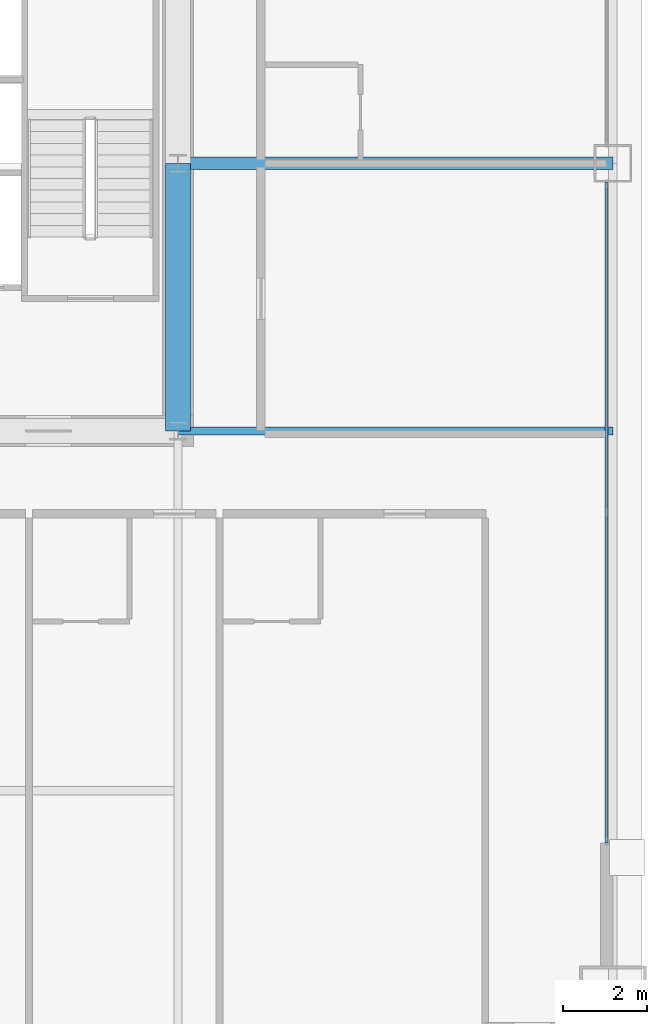
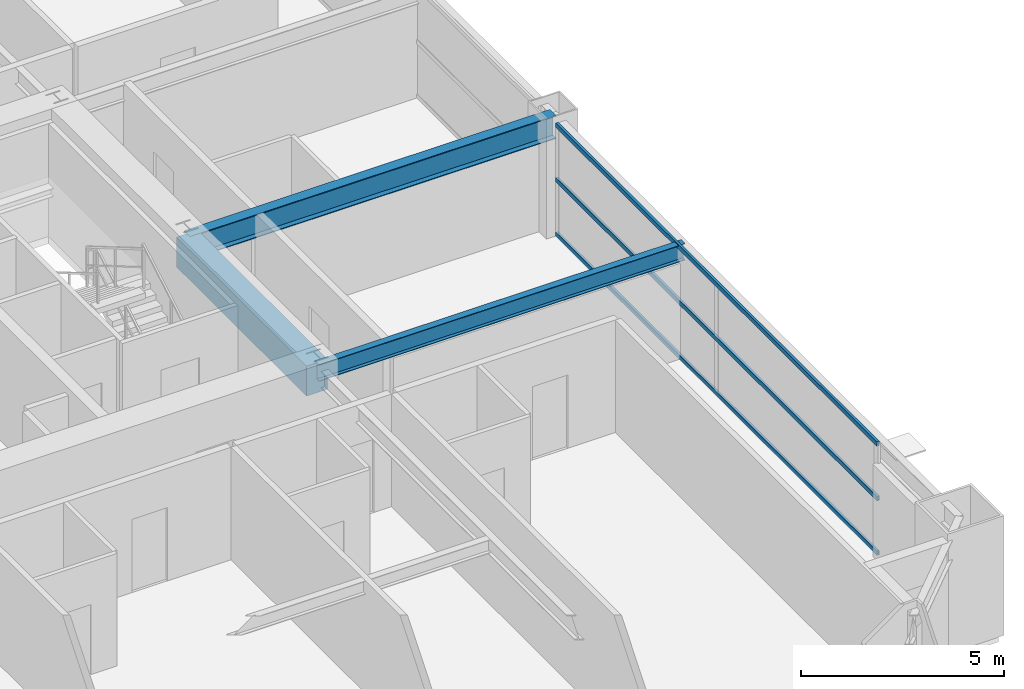
# One storey, part 18 of 38: 3 beams, 3 members, 1 element without a shape of its own.
"""IFC4 building model written with IfcOpenShell, lengths in metres."""

import ifcopenshell
import ifcopenshell.guid

model = None  # the IFC model being written
_history = None  # IfcOwnerHistory: only IFC2X3 demands one
_inside = {}  # id of a spatial element -> (the spatial element, [elements in it])
_under = {}  # id of a project, library or spatial element -> (it, [spatial elements below it])
_declared = {}  # id of a project -> (the project, [libraries it declares])
_typed = {}  # id of a type object -> (the type object, [elements of that type])
_made_of = {}  # id of a material, layer set ... -> (it, [elements and type objects made of it])


def new_model(schema):
    """Start an empty IFC model of exactly this schema.

    Asked for "IFC4X3", IfcOpenShell would pick the latest addendum, in which some entities
    have other attributes; the version numbers below select the first issue.
    IFC2X3 requires an IfcOwnerHistory on every rooted entity: one is made here for all.
    """
    global model, _history
    if schema == "IFC4X3":
        model = ifcopenshell.file(schema_version=(4, 3, 0, 0))
    else:
        model = ifcopenshell.file(schema=schema)
    _inside.clear()
    _under.clear()
    _declared.clear()
    _typed.clear()
    _made_of.clear()
    _history = None
    if model.schema == "IFC2X3":
        org = make("IfcOrganization", Name="unknown")
        user = make(
            "IfcPersonAndOrganization",
            ThePerson=make("IfcPerson", FamilyName="unknown"),
            TheOrganization=org,
        )
        app = make(
            "IfcApplication",
            ApplicationDeveloper=org,
            Version="unknown",
            ApplicationFullName="unknown",
            ApplicationIdentifier="unknown",
        )
        _history = make(
            "IfcOwnerHistory",
            OwningUser=user,
            OwningApplication=app,
            ChangeAction="ADDED",
            CreationDate=0,
        )
    return model


def make(cls, **values):
    """One entity of the class cls with the attributes given. An attribute that is None is left unset."""
    return model.create_entity(
        cls, **{name: value for name, value in values.items() if value is not None}
    )


def rooted(cls, **values):
    """An entity with a GlobalId (a new one), such as an element, a storey or a relation."""
    return make(cls, GlobalId=ifcopenshell.guid.new(), OwnerHistory=_history, **values)


def si_unit(unit_type, name, prefix=None):
    """IfcSIUnit, for example si_unit("LENGTHUNIT", "METRE", prefix="MILLI")."""
    return make("IfcSIUnit", UnitType=unit_type, Prefix=prefix, Name=name)


def assignment(units):
    """IfcUnitAssignment: the units of a project."""
    return None if units is None else make("IfcUnitAssignment", Units=units)


def point(xyz):
    """IfcCartesianPoint."""
    return None if xyz is None else make("IfcCartesianPoint", Coordinates=xyz)


def direction(xyz):
    """IfcDirection."""
    return None if xyz is None else make("IfcDirection", DirectionRatios=xyz)


def frame(location, z_axis=None, x_axis=None):
    """IfcAxis2Placement3D, a coordinate frame: its origin and axes. An axis left out is left unset."""
    return make(
        "IfcAxis2Placement3D",
        Location=point(location),
        Axis=direction(z_axis),
        RefDirection=direction(x_axis),
    )


def frame_2d(location, x_axis=None):
    """IfcAxis2Placement2D, a coordinate frame in the plane: its origin and x axis."""
    return make(
        "IfcAxis2Placement2D", Location=point(location), RefDirection=direction(x_axis)
    )


def origin():
    """The frame at (0, 0, 0) with its axes left unset."""
    return frame((0.0, 0.0, 0.0))


def origin_2d():
    """The frame at (0, 0) in the plane with its x axis left unset."""
    return frame_2d((0.0, 0.0))


def place(relative_to, where):
    """IfcLocalPlacement: puts the frame where relative to a parent placement (None: the world)."""
    return make(
        "IfcLocalPlacement", PlacementRelTo=relative_to, RelativePlacement=where
    )


def context(
    kind, dimensions, precision=None, world=None, true_north=None, identifier=None
):
    """IfcGeometricRepresentationContext, for example the 3D "Model" context."""
    return make(
        "IfcGeometricRepresentationContext",
        ContextIdentifier=identifier,
        ContextType=kind,
        CoordinateSpaceDimension=dimensions,
        Precision=precision,
        WorldCoordinateSystem=world,
        TrueNorth=true_north,
    )


def subcontext(parent, identifier, kind, view, scale=None):
    """IfcGeometricRepresentationSubContext, for example "Body" below "Model"."""
    return make(
        "IfcGeometricRepresentationSubContext",
        ContextIdentifier=identifier,
        ContextType=kind,
        ParentContext=parent,
        TargetScale=scale,
        TargetView=view,
    )


def project(units=None, contexts=None):
    """IfcProject with its units and contexts."""
    return rooted(
        "IfcProject",
        Name="project",
        RepresentationContexts=contexts,
        UnitsInContext=assignment(units),
    )


def spatial(cls, under=None, at=None, **own):
    """A site, building, storey or space (cls), placed at a placement, below another one or the project."""
    s = rooted(cls, ObjectPlacement=at, **own)
    if under is not None:
        _under.setdefault(under.id(), (under, []))[1].append(s)
    return s


def profile(cls, at=None, kind="AREA", **sizes):
    """A parametric profile (cls). Its sizes go by their IFC names, for example OverallWidth=200.0."""
    return make(cls, ProfileType=kind, Position=at, **sizes)


def rectangle(**sizes):
    """IfcRectangleProfileDef."""
    return profile("IfcRectangleProfileDef", **sizes)


def hollow_rectangle(**sizes):
    """IfcRectangleHollowProfileDef."""
    return profile("IfcRectangleHollowProfileDef", **sizes)


def i_section(**sizes):
    """IfcIShapeProfileDef."""
    return profile("IfcIShapeProfileDef", **sizes)


def extrude(swept, where, along, depth):
    """IfcExtrudedAreaSolid: the profile swept, set in the frame where, extruded along a direction by depth."""
    return make(
        "IfcExtrudedAreaSolid",
        SweptArea=swept,
        Position=where,
        ExtrudedDirection=direction(along),
        Depth=depth,
    )


def shape(context_of_items, identifier, shape_type, items):
    """IfcShapeRepresentation: the items that make up one representation, for example the "Body"."""
    return make(
        "IfcShapeRepresentation",
        ContextOfItems=context_of_items,
        RepresentationIdentifier=identifier,
        RepresentationType=shape_type,
        Items=items,
    )


def source(mapping_origin, context_of_items, identifier, shape_type, items):
    """IfcRepresentationMap: a shape defined once, which mapped items show again and again."""
    return make(
        "IfcRepresentationMap",
        MappingOrigin=mapping_origin,
        MappedRepresentation=shape(context_of_items, identifier, shape_type, items),
    )


def transform(
    local_origin,
    x_axis=None,
    y_axis=None,
    z_axis=None,
    scale=None,
    scale2=None,
    scale3=None,
    uniform=True,
):
    """IfcCartesianTransformationOperator3D, or its non-uniform kind. x_axis, y_axis, z_axis: its Axis1, 2, 3."""
    if uniform:
        return make(
            "IfcCartesianTransformationOperator3D",
            Axis1=direction(x_axis),
            Axis2=direction(y_axis),
            LocalOrigin=point(local_origin),
            Scale=scale,
            Axis3=direction(z_axis),
        )
    return make(
        "IfcCartesianTransformationOperator3DnonUniform",
        Axis1=direction(x_axis),
        Axis2=direction(y_axis),
        LocalOrigin=point(local_origin),
        Scale=scale,
        Axis3=direction(z_axis),
        Scale2=scale2,
        Scale3=scale3,
    )


def mapped(mapping_source, mapping_target):
    """IfcMappedItem: shows the shape of a source again, moved by a transform."""
    return make(
        "IfcMappedItem", MappingSource=mapping_source, MappingTarget=mapping_target
    )


def material(Name=None, Category=None):
    """IfcMaterial."""
    return make("IfcMaterial", Name=Name, Category=Category)


def layer(
    of_material, thickness, ventilated=None, Name=None, Category=None, Priority=None
):
    """IfcMaterialLayer: one layer of a wall or slab, of a material (None: an air gap)."""
    return make(
        "IfcMaterialLayer",
        Material=of_material,
        LayerThickness=thickness,
        IsVentilated=ventilated,
        Name=Name,
        Category=Category,
        Priority=Priority,
    )


def layer_set(layers, Name=None):
    """IfcMaterialLayerSet."""
    return make("IfcMaterialLayerSet", MaterialLayers=layers, LayerSetName=Name)


def material_profile(
    of_material, cross_section, Name=None, Category=None, Priority=None
):
    """IfcMaterialProfile: a cross section and its material."""
    return make(
        "IfcMaterialProfile",
        Name=Name,
        Material=of_material,
        Profile=cross_section,
        Priority=Priority,
        Category=Category,
    )


def profile_set(profiles, Name=None, composite=None):
    """IfcMaterialProfileSet."""
    return make(
        "IfcMaterialProfileSet",
        Name=Name,
        MaterialProfiles=profiles,
        CompositeProfile=composite,
    )


def made_of(thing, what):
    """Note that an element or type object is made of a material, layer set ...; save() writes the relation."""
    if what is not None:
        _made_of.setdefault(what.id(), (what, []))[1].append(thing)
    return thing


def type_object(cls, material=None, **own):
    """A type object (cls), such as IfcWallType, which elements share."""
    return made_of(rooted(cls, **own), material)


def element(
    cls,
    number,
    at=None,
    inside=None,
    cuts=None,
    type_object=None,
    material=None,
    context=None,
    identifier="Body",
    shape_type=None,
    held_by="IfcProductDefinitionShape",
    body=None,
    shapes=None,
    **own,
):
    """One element of the class cls, such as IfcWall. Its Tag is "e" and its number.

    at: its placement. inside: the storey or other place that contains it. cuts: it is an
    opening in that element (IfcRelVoidsElement). A single representation is given by context,
    identifier, shape_type and body (its items); several are given by shapes. held_by: the class
    of the entity that holds the representations. save() writes the other relations.
    """
    e = rooted(cls, Tag="e%d" % number, ObjectPlacement=at, **own)
    if body is not None:
        shapes = [shape(context, identifier, shape_type, body)]
    if shapes is not None:
        e.Representation = make(held_by, Representations=shapes)
    if inside is not None:
        _inside.setdefault(inside.id(), (inside, []))[1].append(e)
    if cuts is not None:
        rooted(
            "IfcRelVoidsElement", RelatingBuildingElement=cuts, RelatedOpeningElement=e
        )
    if type_object is not None:
        _typed.setdefault(type_object.id(), (type_object, []))[1].append(e)
    return made_of(e, material)


def aggregate(whole, parts):
    """IfcRelAggregates: a whole, such as a stair, and the parts it consists of."""
    return rooted("IfcRelAggregates", RelatingObject=whole, RelatedObjects=parts)


def save(model, path):
    """Write the relations noted so far, then the file.

    IfcRelAggregates (storeys below a building ...), IfcRelContainedInSpatialStructure (elements
    in a storey), IfcRelDefinesByType, IfcRelAssociatesMaterial and IfcRelDeclares: one each for
    every whole, place, type object, material and project.
    """
    for whole, parts in _under.values():
        aggregate(whole, parts)
    for where, things in _inside.values():
        rooted(
            "IfcRelContainedInSpatialStructure",
            RelatedElements=things,
            RelatingStructure=where,
        )
    for kind, things in _typed.values():
        rooted("IfcRelDefinesByType", RelatedObjects=things, RelatingType=kind)
    for what, things in _made_of.values():
        rooted("IfcRelAssociatesMaterial", RelatedObjects=things, RelatingMaterial=what)
    for by, libraries in _declared.values():
        rooted("IfcRelDeclares", RelatingContext=by, RelatedDefinitions=libraries)
    model.write(path)


model = new_model("IFC4")

# Units and contexts
model_context = context("Model", 3, precision=1e-05, world=origin(), true_north=direction((0.0, 1.0)))
body_context = subcontext(model_context, "Body", "Model", "MODEL_VIEW")
ifc_project = project(units=[si_unit("LENGTHUNIT", "METRE"), si_unit("AREAUNIT", "SQUARE_METRE"), si_unit("VOLUMEUNIT", "CUBIC_METRE"), si_unit("PLANEANGLEUNIT", "RADIAN"), si_unit("MASSUNIT", "GRAM", prefix="KILO"), si_unit("THERMODYNAMICTEMPERATUREUNIT", "KELVIN"), si_unit("POWERUNIT", "WATT")], contexts=[model_context])

# Site, building, storey
site_placement = place(None, origin())
site = spatial("IfcSite", under=ifc_project, at=site_placement, CompositionType="ELEMENT")
building_placement = place(site_placement, origin())
building = spatial("IfcBuilding", under=site, at=building_placement, Name="Yuzanri Waterfront Tower", CompositionType="ELEMENT")
storey_placement = place(building_placement, frame((0.0, 0.0, 90.199951171875)))
storey = spatial("IfcBuildingStorey", under=building, at=storey_placement, Name="L23", CompositionType="ELEMENT", Elevation=90.199951171875)

# Beams
ifc_material_1 = material(Name="Concrete C60", Category="concrete")
ifc_material_profile_1 = material_profile(ifc_material_1, rectangle(XDim=0.60009765625, YDim=0.89990234375, at=origin_2d()), Name="RC 600x900")
ifc_profile_set_1 = profile_set([ifc_material_profile_1], Name="Concrete C60")
beam_type_1 = type_object("IfcBeamType", Name="Core Coupling Lintel Concrete C60 600x900", PredefinedType="LINTEL", material=ifc_profile_set_1)
shared_shape_1 = source(origin(), body_context, "Body", "SweptSolid", [
    extrude(rectangle(XDim=0.60009765625, YDim=0.89990234375, at=origin_2d()), origin(), (0.0, 0.0, 1.0), 6.400146484375),
])
beam_1_placement = place(storey_placement, frame((50.199951171875, 19.39990234375, 2.929931640625), z_axis=(0.0, 1.0, 0.0), x_axis=(-1.0, 0.0, 0.0)))
element("IfcBeam", 1, at=beam_1_placement, inside=storey, type_object=beam_type_1, Name="L23 Core Tie Beam CE1", PredefinedType="LINTEL", context=body_context, shape_type="MappedRepresentation", body=[
    mapped(shared_shape_1, transform((0.0, 0.0, 0.0), scale=1.0)),
])
ifc_material_2 = material(Name="Steel Q355B", Category="steel")
ifc_material_profile_2 = material_profile(ifc_material_2, i_section(OverallWidth=0.300048828125, OverallDepth=0.699951171875, WebThickness=0.012939453125, FlangeThickness=0.02392578125, at=origin_2d()), Name="HN 700x300x13x24")
ifc_profile_set_2 = profile_set([ifc_material_profile_2], Name="Steel Q355B")
beam_type_2 = type_object("IfcBeamType", Name="Primary Floor Girder Q355B HN 700x300", PredefinedType="BEAM", material=ifc_profile_set_2)
shared_shape_2 = source(origin(), body_context, "Body", "SweptSolid", [
    extrude(i_section(OverallWidth=0.300048828125, OverallDepth=0.699951171875, WebThickness=0.012939453125, FlangeThickness=0.02392578125, at=origin_2d()), origin(), (0.0, 0.0, 1.0), 10.400146484375),
])
beam_2_placement = place(storey_placement, frame((50.199951171875, 25.800048828125, 3.030029296875), z_axis=(1.0, 0.0, 0.0), x_axis=(0.0, 1.0, 0.0)))
element("IfcBeam", 2, at=beam_2_placement, inside=storey, type_object=beam_type_2, Name="L23 East Grid Girder", PredefinedType="BEAM", context=body_context, shape_type="MappedRepresentation", body=[
    mapped(shared_shape_2, transform((0.0, 0.0, 0.0), scale=1.0)),
])
ifc_material_3 = material(Name="Steel Q355B", Category="steel")
ifc_material_profile_3 = material_profile(ifc_material_3, i_section(OverallWidth=0.199951171875, OverallDepth=0.5, WebThickness=0.010009765625, FlangeThickness=0.01611328125, at=origin_2d()), Name="HN 500x200x10x16")
ifc_profile_set_3 = profile_set([ifc_material_profile_3], Name="Steel Q355B")
beam_type_3 = type_object("IfcBeamType", Name="Secondary Floor Beam Q355B HN 500x200", PredefinedType="BEAM", material=ifc_profile_set_3)
shared_shape_3 = source(origin(), body_context, "Body", "SweptSolid", [
    extrude(i_section(OverallWidth=0.199951171875, OverallDepth=0.5, WebThickness=0.010009765625, FlangeThickness=0.01611328125, at=origin_2d()), origin(), (0.0, 0.0, 1.0), 10.400146484375),
])
beam_3_placement = place(storey_placement, frame((50.199951171875, 19.39990234375, 3.130126953125), z_axis=(1.0, 0.0, 0.0), x_axis=(0.0, 1.0, 0.0)))
element("IfcBeam", 3, at=beam_3_placement, inside=storey, type_object=beam_type_3, Name="L23 East-South Core Line Beam", PredefinedType="BEAM", context=body_context, shape_type="MappedRepresentation", body=[
    mapped(shared_shape_3, transform((0.0, 0.0, 0.0), scale=1.0)),
])

# Curtain wall, members
ifc_material_4 = material(Name="Anodized Architectural Bronze", Category="metal")
ifc_layer = layer(ifc_material_4, 0.159912109375)
ifc_layer_set = layer_set([ifc_layer], Name="Anodized Architectural Bronze")
curtain_wall_type = type_object("IfcCurtainWallType", Name="Anodized Bronze Hotel Upper-Tier Solar-Control Unitized Curtain Wall 7800", PredefinedType="NOTDEFINED", material=ifc_layer_set)
curtain_wall_placement = place(storey_placement, origin())
curtain_wall = element("IfcCurtainWall", 4, at=curtain_wall_placement, inside=storey, type_object=curtain_wall_type, Name="L23 Curtain Wall CW-L23-EL", PredefinedType="NOTDEFINED")
ifc_material_5 = material(Name="Anodized Architectural Bronze", Category="metal")
ifc_material_profile_4 = material_profile(ifc_material_5, hollow_rectangle(XDim=0.070068359375, YDim=0.135009765625, WallThickness=0.00341796875, at=origin_2d()), Name="CWT 70x135")
ifc_profile_set_4 = profile_set([ifc_material_profile_4], Name="Anodized Architectural Bronze")
member_type = type_object("IfcMemberType", Name="Anodized Bronze Standard Curtain-Wall Transom 70x135", PredefinedType="USERDEFINED", material=ifc_profile_set_4)
shared_shape_4 = source(origin(), body_context, "Body", "SweptSolid", [
    extrude(hollow_rectangle(XDim=0.070068359375, YDim=0.135009765625, WallThickness=0.00341796875, at=origin_2d()), origin(), (0.0, 0.0, 1.0), 15.800048828125),
])
member_1_placement = place(storey_placement, frame((60.449951171875, 9.550048828125, 0.050048828125), z_axis=(0.0, 1.0, 0.0), x_axis=(-1.0, 0.0, 0.0)))
member_1 = element("IfcMember", 5, at=member_1_placement, type_object=member_type, Name="CW-L23-EL Transom 1", ObjectType="TRANSOM", PredefinedType="USERDEFINED", context=body_context, shape_type="MappedRepresentation", body=[
    mapped(shared_shape_4, transform((0.0, 0.0, 0.0), scale=1.0)),
])
member_2_placement = place(storey_placement, frame((60.449951171875, 9.550048828125, 1.68994140625), z_axis=(0.0, 1.0, 0.0), x_axis=(-1.0, 0.0, 0.0)))
member_2 = element("IfcMember", 6, at=member_2_placement, type_object=member_type, Name="CW-L23-EL Transom 2", ObjectType="TRANSOM", PredefinedType="USERDEFINED", context=body_context, shape_type="MappedRepresentation", body=[
    mapped(shared_shape_4, transform((0.0, 0.0, 0.0), scale=1.0)),
])
member_3_placement = place(storey_placement, frame((60.449951171875, 9.550048828125, 3.330078125), z_axis=(0.0, 1.0, 0.0), x_axis=(-1.0, 0.0, 0.0)))
member_3 = element("IfcMember", 7, at=member_3_placement, type_object=member_type, Name="CW-L23-EL Transom 3", ObjectType="TRANSOM", PredefinedType="USERDEFINED", context=body_context, shape_type="MappedRepresentation", body=[
    mapped(shared_shape_4, transform((0.0, 0.0, 0.0), scale=1.0)),
])
aggregate(curtain_wall, [member_1, member_2, member_3])

save(model, "model.ifc")
